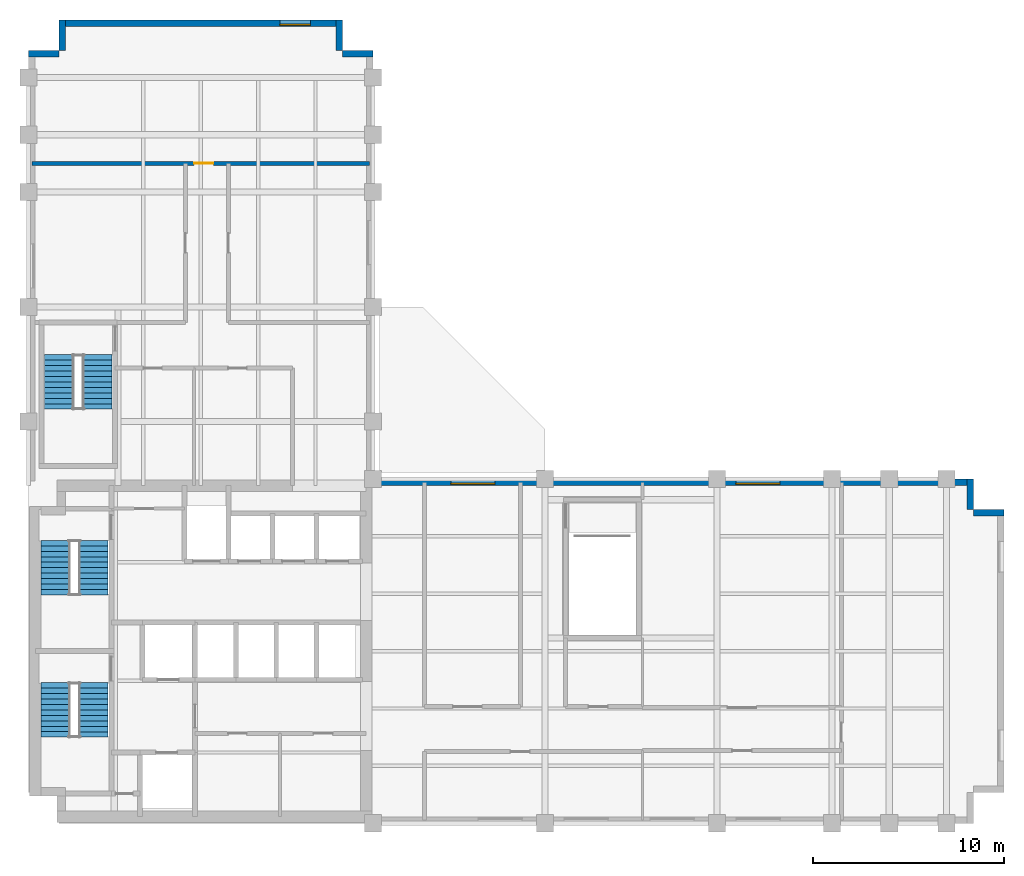
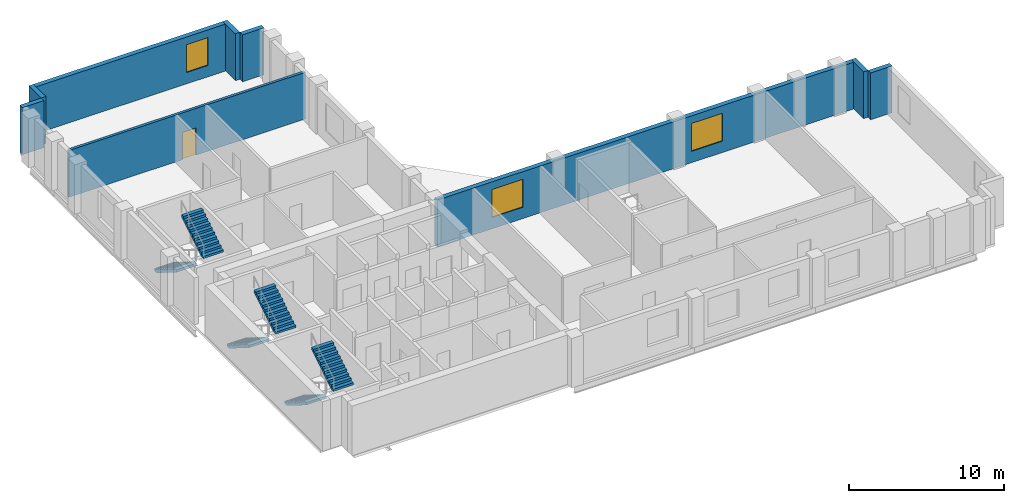
# One storey, part 5 of 6: 9 walls, 6 stair flights, 3 windows, 1 door, 4 openings, 3 elements without a shape of their own.
"""IFC4 building model written with IfcOpenShell, lengths in metres."""

import ifcopenshell
import ifcopenshell.guid

model = None  # the IFC model being written
_history = None  # IfcOwnerHistory: only IFC2X3 demands one
_inside = {}  # id of a spatial element -> (the spatial element, [elements in it])
_under = {}  # id of a project, library or spatial element -> (it, [spatial elements below it])
_declared = {}  # id of a project -> (the project, [libraries it declares])
_typed = {}  # id of a type object -> (the type object, [elements of that type])
_made_of = {}  # id of a material, layer set ... -> (it, [elements and type objects made of it])


def new_model(schema):
    """Start an empty IFC model of exactly this schema.

    Asked for "IFC4X3", IfcOpenShell would pick the latest addendum, in which some entities
    have other attributes; the version numbers below select the first issue.
    IFC2X3 requires an IfcOwnerHistory on every rooted entity: one is made here for all.
    """
    global model, _history
    if schema == "IFC4X3":
        model = ifcopenshell.file(schema_version=(4, 3, 0, 0))
    else:
        model = ifcopenshell.file(schema=schema)
    _inside.clear()
    _under.clear()
    _declared.clear()
    _typed.clear()
    _made_of.clear()
    _history = None
    if model.schema == "IFC2X3":
        org = make("IfcOrganization", Name="unknown")
        user = make(
            "IfcPersonAndOrganization",
            ThePerson=make("IfcPerson", FamilyName="unknown"),
            TheOrganization=org,
        )
        app = make(
            "IfcApplication",
            ApplicationDeveloper=org,
            Version="unknown",
            ApplicationFullName="unknown",
            ApplicationIdentifier="unknown",
        )
        _history = make(
            "IfcOwnerHistory",
            OwningUser=user,
            OwningApplication=app,
            ChangeAction="ADDED",
            CreationDate=0,
        )
    return model


def make(cls, **values):
    """One entity of the class cls with the attributes given. An attribute that is None is left unset."""
    return model.create_entity(
        cls, **{name: value for name, value in values.items() if value is not None}
    )


def rooted(cls, **values):
    """An entity with a GlobalId (a new one), such as an element, a storey or a relation."""
    return make(cls, GlobalId=ifcopenshell.guid.new(), OwnerHistory=_history, **values)


def si_unit(unit_type, name, prefix=None):
    """IfcSIUnit, for example si_unit("LENGTHUNIT", "METRE", prefix="MILLI")."""
    return make("IfcSIUnit", UnitType=unit_type, Prefix=prefix, Name=name)


def assignment(units):
    """IfcUnitAssignment: the units of a project."""
    return None if units is None else make("IfcUnitAssignment", Units=units)


def point(xyz):
    """IfcCartesianPoint."""
    return None if xyz is None else make("IfcCartesianPoint", Coordinates=xyz)


def direction(xyz):
    """IfcDirection."""
    return None if xyz is None else make("IfcDirection", DirectionRatios=xyz)


def frame(location, z_axis=None, x_axis=None):
    """IfcAxis2Placement3D, a coordinate frame: its origin and axes. An axis left out is left unset."""
    return make(
        "IfcAxis2Placement3D",
        Location=point(location),
        Axis=direction(z_axis),
        RefDirection=direction(x_axis),
    )


def frame_2d(location, x_axis=None):
    """IfcAxis2Placement2D, a coordinate frame in the plane: its origin and x axis."""
    return make(
        "IfcAxis2Placement2D", Location=point(location), RefDirection=direction(x_axis)
    )


def origin():
    """The frame at (0, 0, 0) with its axes left unset."""
    return frame((0.0, 0.0, 0.0))


def place(relative_to, where):
    """IfcLocalPlacement: puts the frame where relative to a parent placement (None: the world)."""
    return make(
        "IfcLocalPlacement", PlacementRelTo=relative_to, RelativePlacement=where
    )


def context(
    kind, dimensions, precision=None, world=None, true_north=None, identifier=None
):
    """IfcGeometricRepresentationContext, for example the 3D "Model" context."""
    return make(
        "IfcGeometricRepresentationContext",
        ContextIdentifier=identifier,
        ContextType=kind,
        CoordinateSpaceDimension=dimensions,
        Precision=precision,
        WorldCoordinateSystem=world,
        TrueNorth=true_north,
    )


def subcontext(parent, identifier, kind, view, scale=None):
    """IfcGeometricRepresentationSubContext, for example "Body" below "Model"."""
    return make(
        "IfcGeometricRepresentationSubContext",
        ContextIdentifier=identifier,
        ContextType=kind,
        ParentContext=parent,
        TargetScale=scale,
        TargetView=view,
    )


def project(units=None, contexts=None):
    """IfcProject with its units and contexts."""
    return rooted(
        "IfcProject",
        Name="project",
        RepresentationContexts=contexts,
        UnitsInContext=assignment(units),
    )


def spatial(cls, under=None, at=None, **own):
    """A site, building, storey or space (cls), placed at a placement, below another one or the project."""
    s = rooted(cls, ObjectPlacement=at, **own)
    if under is not None:
        _under.setdefault(under.id(), (under, []))[1].append(s)
    return s


def polyline(points):
    """IfcPolyline through the points."""
    return make("IfcPolyline", Points=[point(p) for p in points])


def profile(cls, at=None, kind="AREA", **sizes):
    """A parametric profile (cls). Its sizes go by their IFC names, for example OverallWidth=200.0."""
    return make(cls, ProfileType=kind, Position=at, **sizes)


def rectangle(**sizes):
    """IfcRectangleProfileDef."""
    return profile("IfcRectangleProfileDef", **sizes)


def outline(outer, holes=None, kind="AREA"):
    """IfcArbitraryClosedProfileDef: a profile drawn as a closed curve; with holes, ...WithVoids."""
    if holes is None:
        return make("IfcArbitraryClosedProfileDef", ProfileType=kind, OuterCurve=outer)
    return make(
        "IfcArbitraryProfileDefWithVoids",
        ProfileType=kind,
        OuterCurve=outer,
        InnerCurves=holes,
    )


def extrude(swept, where, along, depth):
    """IfcExtrudedAreaSolid: the profile swept, set in the frame where, extruded along a direction by depth."""
    return make(
        "IfcExtrudedAreaSolid",
        SweptArea=swept,
        Position=where,
        ExtrudedDirection=direction(along),
        Depth=depth,
    )


def shape(context_of_items, identifier, shape_type, items):
    """IfcShapeRepresentation: the items that make up one representation, for example the "Body"."""
    return make(
        "IfcShapeRepresentation",
        ContextOfItems=context_of_items,
        RepresentationIdentifier=identifier,
        RepresentationType=shape_type,
        Items=items,
    )


def material(Name=None, Category=None):
    """IfcMaterial."""
    return make("IfcMaterial", Name=Name, Category=Category)


def layer(
    of_material, thickness, ventilated=None, Name=None, Category=None, Priority=None
):
    """IfcMaterialLayer: one layer of a wall or slab, of a material (None: an air gap)."""
    return make(
        "IfcMaterialLayer",
        Material=of_material,
        LayerThickness=thickness,
        IsVentilated=ventilated,
        Name=Name,
        Category=Category,
        Priority=Priority,
    )


def layer_set(layers, Name=None):
    """IfcMaterialLayerSet."""
    return make("IfcMaterialLayerSet", MaterialLayers=layers, LayerSetName=Name)


def made_of(thing, what):
    """Note that an element or type object is made of a material, layer set ...; save() writes the relation."""
    if what is not None:
        _made_of.setdefault(what.id(), (what, []))[1].append(thing)
    return thing


def type_object(cls, material=None, **own):
    """A type object (cls), such as IfcWallType, which elements share."""
    return made_of(rooted(cls, **own), material)


def element(
    cls,
    number,
    at=None,
    inside=None,
    cuts=None,
    type_object=None,
    material=None,
    context=None,
    identifier="Body",
    shape_type=None,
    held_by="IfcProductDefinitionShape",
    body=None,
    shapes=None,
    **own,
):
    """One element of the class cls, such as IfcWall. Its Tag is "e" and its number.

    at: its placement. inside: the storey or other place that contains it. cuts: it is an
    opening in that element (IfcRelVoidsElement). A single representation is given by context,
    identifier, shape_type and body (its items); several are given by shapes. held_by: the class
    of the entity that holds the representations. save() writes the other relations.
    """
    e = rooted(cls, Tag="e%d" % number, ObjectPlacement=at, **own)
    if body is not None:
        shapes = [shape(context, identifier, shape_type, body)]
    if shapes is not None:
        e.Representation = make(held_by, Representations=shapes)
    if inside is not None:
        _inside.setdefault(inside.id(), (inside, []))[1].append(e)
    if cuts is not None:
        rooted(
            "IfcRelVoidsElement", RelatingBuildingElement=cuts, RelatedOpeningElement=e
        )
    if type_object is not None:
        _typed.setdefault(type_object.id(), (type_object, []))[1].append(e)
    return made_of(e, material)


def fill(opening, filler):
    """IfcRelFillsElement: the door or window that sits in an opening."""
    return rooted(
        "IfcRelFillsElement",
        RelatingOpeningElement=opening,
        RelatedBuildingElement=filler,
    )


def aggregate(whole, parts):
    """IfcRelAggregates: a whole, such as a stair, and the parts it consists of."""
    return rooted("IfcRelAggregates", RelatingObject=whole, RelatedObjects=parts)


def save(model, path):
    """Write the relations noted so far, then the file.

    IfcRelAggregates (storeys below a building ...), IfcRelContainedInSpatialStructure (elements
    in a storey), IfcRelDefinesByType, IfcRelAssociatesMaterial and IfcRelDeclares: one each for
    every whole, place, type object, material and project.
    """
    for whole, parts in _under.values():
        aggregate(whole, parts)
    for where, things in _inside.values():
        rooted(
            "IfcRelContainedInSpatialStructure",
            RelatedElements=things,
            RelatingStructure=where,
        )
    for kind, things in _typed.values():
        rooted("IfcRelDefinesByType", RelatedObjects=things, RelatingType=kind)
    for what, things in _made_of.values():
        rooted("IfcRelAssociatesMaterial", RelatedObjects=things, RelatingMaterial=what)
    for by, libraries in _declared.values():
        rooted("IfcRelDeclares", RelatingContext=by, RelatedDefinitions=libraries)
    model.write(path)


model = new_model("IFC4")

# Units and contexts
model_context = context("Model", 3, precision=1e-05, world=origin(), true_north=direction((0.0, 1.0)))
body_context = subcontext(model_context, "Body", "Model", "MODEL_VIEW")
ifc_project = project(units=[si_unit("LENGTHUNIT", "METRE"), si_unit("AREAUNIT", "SQUARE_METRE"), si_unit("VOLUMEUNIT", "CUBIC_METRE"), si_unit("PLANEANGLEUNIT", "RADIAN"), si_unit("MASSUNIT", "GRAM", prefix="KILO")], contexts=[model_context])

# Site, building, storey
site_placement = place(None, origin())
site = spatial("IfcSite", under=ifc_project, at=site_placement, CompositionType="ELEMENT")
building_placement = place(site_placement, origin())
building = spatial("IfcBuilding", under=site, at=building_placement, Name="Mawjdan Bourse Tower", CompositionType="ELEMENT")
storey_placement = place(building_placement, frame((0.0, 0.0, 164.39990234375)))
storey = spatial("IfcBuildingStorey", under=building, at=storey_placement, Name="L39", CompositionType="ELEMENT", Elevation=164.39990234375)

# Walls
ifc_material_1 = material(Name="Brick Masonry Buff", Category="masonry")
ifc_layer_1 = layer(ifc_material_1, 0.340087890625)
ifc_layer_set_1 = layer_set([ifc_layer_1], Name="Brick Masonry Buff")
wall_type_1 = type_object("IfcWallType", Name="WL-BRK-SPN-340", PredefinedType="STANDARD", material=ifc_layer_set_1)
for number, where, z_axis, x_axis, name in (
    (1, (57.0, 19.22998046875, 0.0), (0.0, 0.0, 1.0), (-1.0, 0.0, 0.0), "L39 Exterior Brick Wall 5"),
    (2, (55.22998046875, 19.39990234375, 0.0), (0.0, 0.0, 1.0), (0.0, 1.0, 0.0), "L39 Exterior Brick Wall 6"),
):
    element("IfcWall", number, at=place(storey_placement, frame(where, z_axis=z_axis, x_axis=x_axis)), inside=storey, type_object=wall_type_1, Name=name, PredefinedType="STANDARD", context=body_context, shape_type="SweptSolid", body=[
        extrude(rectangle(XDim=1.60009765625, YDim=0.340087890625, at=frame_2d((0.800048828125, 0.0))), origin(), (0.0, 0.0, 1.0), 3.7001953125),
    ])

# Wall, openings, windows
wall_1_placement = place(storey_placement, frame((55.39990234375, 20.830078125, 0.0), z_axis=(0.0, 0.0, 1.0), x_axis=(-1.0, 0.0, 0.0)))
wall_1 = element("IfcWall", 3, at=wall_1_placement, inside=storey, type_object=wall_type_1, Name="L39 Exterior Brick Wall 7", PredefinedType="STANDARD", context=body_context, shape_type="SweptSolid", body=[
    extrude(rectangle(XDim=31.39990234375, YDim=0.340087890625, at=frame_2d((15.699951171875, 0.0))), origin(), (0.0, 0.0, 1.0), 3.7001953125),
])
opening_1_placement = place(wall_1_placement, frame((25.02587890625, 0.0, 0.89990234375)))
opening_1 = element("IfcOpeningElement", 4, at=opening_1_placement, cuts=wall_1, Name="Opening W-L39-09", PredefinedType="OPENING", context=body_context, shape_type="SweptSolid", body=[
    extrude(rectangle(XDim=2.300048828125, YDim=2.199951171875, at=frame_2d((1.14990234375, 1.10009765625))), frame((0.0, 0.18017578125, 0.0), z_axis=(0.0, -1.0, 0.0), x_axis=(1.0, 0.0, 0.0)), (0.0, 0.0, 1.0), 0.360107421875),
])
opening_2_placement = place(wall_1_placement, frame((10.124755859375, 0.0, 0.89990234375)))
opening_2 = element("IfcOpeningElement", 5, at=opening_2_placement, cuts=wall_1, Name="Opening W-L39-10", PredefinedType="OPENING", context=body_context, shape_type="SweptSolid", body=[
    extrude(rectangle(XDim=2.300048828125, YDim=2.199951171875, at=frame_2d((1.14990234375, 1.10009765625))), frame((0.0, 0.18017578125, 0.0), z_axis=(0.0, -1.0, 0.0), x_axis=(1.0, 0.0, 0.0)), (0.0, 0.0, 1.0), 0.360107421875),
])
ifc_material_2 = material(Name="Solar-Control Clear Double Glazing", Category="glass")
window_type_1 = type_object("IfcWindowType", Name="WN-Z3-2300", PartitioningType="SINGLE_PANEL", PredefinedType="WINDOW", material=ifc_material_2)
window_1_placement = place(opening_1_placement, origin())
window_1 = element("IfcWindow", 6, at=window_1_placement, inside=storey, type_object=window_type_1, Name="L39 Deep-Set Masonry Window W-L39-09", OverallHeight=2.199951171875, OverallWidth=2.300048828125, PartitioningType="SINGLE_PANEL", PredefinedType="WINDOW", context=body_context, shape_type="SweptSolid", body=[
    extrude(rectangle(XDim=2.300048828125, YDim=2.199951171875, at=frame_2d((1.14990234375, 1.10009765625))), frame((0.0, 0.110107421875, 0.0), z_axis=(0.0, -1.0, 0.0), x_axis=(1.0, 0.0, 0.0)), (0.0, 0.0, 1.0), 0.06005859375),
])
fill(opening_1, window_1)
window_2_placement = place(opening_2_placement, origin())
window_2 = element("IfcWindow", 7, at=window_2_placement, inside=storey, type_object=window_type_1, Name="L39 Deep-Set Masonry Window W-L39-10", OverallHeight=2.199951171875, OverallWidth=2.300048828125, PartitioningType="SINGLE_PANEL", PredefinedType="WINDOW", context=body_context, shape_type="SweptSolid", body=[
    extrude(rectangle(XDim=2.300048828125, YDim=2.199951171875, at=frame_2d((1.14990234375, 1.10009765625))), frame((0.0, 0.110107421875, 0.0), z_axis=(0.0, -1.0, 0.0), x_axis=(1.0, 0.0, 0.0)), (0.0, 0.0, 1.0), 0.06005859375),
])
fill(opening_2, window_2)

# Walls
for number, where, z_axis, x_axis, name in (
    (8, (24.0, 43.22998046875, 0.0), (0.0, 0.0, 1.0), (-1.0, 0.0, 0.0), "L39 Exterior Brick Wall 9"),
    (9, (22.22998046875, 43.39990234375, 0.0), (0.0, 0.0, 1.0), (0.0, 1.0, 0.0), "L39 Exterior Brick Wall 10"),
):
    element("IfcWall", number, at=place(storey_placement, frame(where, z_axis=z_axis, x_axis=x_axis)), inside=storey, type_object=wall_type_1, Name=name, PredefinedType="STANDARD", context=body_context, shape_type="SweptSolid", body=[
        extrude(rectangle(XDim=1.60009765625, YDim=0.340087890625, at=frame_2d((0.800048828125, 0.0))), origin(), (0.0, 0.0, 1.0), 3.7001953125),
    ])

# Wall, opening, window
wall_2_placement = place(storey_placement, frame((22.39990234375, 44.830078125, 0.0), z_axis=(0.0, 0.0, 1.0), x_axis=(-1.0, 0.0, 0.0)))
wall_2 = element("IfcWall", 10, at=wall_2_placement, inside=storey, type_object=wall_type_1, Name="L39 Exterior Brick Wall 11", PredefinedType="STANDARD", context=body_context, shape_type="SweptSolid", body=[
    extrude(rectangle(XDim=14.7998046875, YDim=0.340087890625, at=frame_2d((7.39990234375, 0.0))), origin(), (0.0, 0.0, 1.0), 3.7001953125),
])
opening_3_placement = place(wall_2_placement, frame((1.666748046875, 0.0, 0.89990234375)))
opening_3 = element("IfcOpeningElement", 11, at=opening_3_placement, cuts=wall_2, Name="Opening W-L39-07", PredefinedType="OPENING", context=body_context, shape_type="SweptSolid", body=[
    extrude(rectangle(XDim=1.60009765625, YDim=2.199951171875, at=frame_2d((0.800048828125, 1.10009765625))), frame((0.0, 0.18017578125, 0.0), z_axis=(0.0, -1.0, 0.0), x_axis=(1.0, 0.0, 0.0)), (0.0, 0.0, 1.0), 0.360107421875),
])
window_type_2 = type_object("IfcWindowType", Name="WN-Z3-1600", PartitioningType="SINGLE_PANEL", PredefinedType="WINDOW", material=ifc_material_2)
window_3_placement = place(opening_3_placement, origin())
window_3 = element("IfcWindow", 12, at=window_3_placement, inside=storey, type_object=window_type_2, Name="L39 Deep-Set Masonry Window W-L39-07", OverallHeight=2.199951171875, OverallWidth=1.60009765625, PartitioningType="SINGLE_PANEL", PredefinedType="WINDOW", context=body_context, shape_type="SweptSolid", body=[
    extrude(rectangle(XDim=1.60009765625, YDim=2.199951171875, at=frame_2d((0.800048828125, 1.10009765625))), frame((0.0, 0.110107421875, 0.0), z_axis=(0.0, -1.0, 0.0), x_axis=(1.0, 0.0, 0.0)), (0.0, 0.0, 1.0), 0.06005859375),
])
fill(opening_3, window_3)

# Walls
for number, where, z_axis, x_axis, name in (
    (13, (7.77001953125, 45.0, 0.0), (0.0, 0.0, 1.0), (0.0, -1.0, 0.0), "L39 Exterior Brick Wall 12"),
    (14, (7.60009765625, 43.22998046875, 0.0), (0.0, 0.0, 1.0), (-1.0, 0.0, 0.0), "L39 Exterior Brick Wall 13"),
):
    element("IfcWall", number, at=place(storey_placement, frame(where, z_axis=z_axis, x_axis=x_axis)), inside=storey, type_object=wall_type_1, Name=name, PredefinedType="STANDARD", context=body_context, shape_type="SweptSolid", body=[
        extrude(rectangle(XDim=1.60009765625, YDim=0.340087890625, at=frame_2d((0.800048828125, 0.0))), origin(), (0.0, 0.0, 1.0), 3.7001953125),
    ])

# Wall, opening, door
ifc_material_3 = material(Name="Gypsum Fireboard Assembly")
ifc_layer_2 = layer(ifc_material_3, 0.199951171875)
ifc_layer_set_2 = layer_set([ifc_layer_2], Name="Gypsum Fireboard Assembly")
wall_type_2 = type_object("IfcWallType", Name="WL-CMP-200", PredefinedType="PARTITIONING", material=ifc_layer_set_2)
wall_3_placement = place(storey_placement, frame((6.179931640625, 37.5, 0.0), z_axis=(0.0, 0.0, 1.0), x_axis=(1.0, 0.0, 0.0)))
wall_3 = element("IfcWall", 15, at=wall_3_placement, inside=storey, type_object=wall_type_2, Name="L39 North Tip Full Cross Wall", PredefinedType="PARTITIONING", context=body_context, shape_type="SweptSolid", body=[
    extrude(rectangle(XDim=17.64013671875, YDim=0.199951171875, at=frame_2d((8.820068359375, 0.0))), origin(), (0.0, 0.0, 1.0), 3.690185546875),
])
opening_4_placement = place(wall_3_placement, frame((8.47509765625, 0.0, 0.0)))
opening_4 = element("IfcOpeningElement", 16, at=opening_4_placement, cuts=wall_3, Name="Opening D-L39-28", PredefinedType="OPENING", context=body_context, shape_type="SweptSolid", body=[
    extrude(rectangle(XDim=1.0, YDim=2.14990234375, at=frame_2d((0.5, 1.074951171875))), frame((0.0, 0.10986328125, 0.0), z_axis=(0.0, -1.0, 0.0), x_axis=(1.0, 0.0, 0.0)), (0.0, 0.0, 1.0), 0.219970703125),
])
ifc_material_4 = material(Name="Hardwood Acoustic Leaf", Category="wood")
door_type = type_object("IfcDoorType", Name="DR-OFC-1000", OperationType="NOTDEFINED", PredefinedType="DOOR", material=ifc_material_4)
door_placement = place(opening_4_placement, origin())
door = element("IfcDoor", 17, at=door_placement, inside=storey, type_object=door_type, Name="L39 North Tip Suite Door D-L39-28", OperationType="SINGLE_SWING_LEFT", OverallHeight=2.14990234375, OverallWidth=1.0, PredefinedType="DOOR", context=body_context, shape_type="SweptSolid", body=[
    extrude(rectangle(XDim=1.0, YDim=2.14990234375, at=frame_2d((0.5, 1.074951171875))), frame((0.0, 0.02490234375, 0.0), z_axis=(0.0, -1.0, 0.0), x_axis=(1.0, 0.0, 0.0)), (0.0, 0.0, 1.0), 0.050048828125),
])
fill(opening_4, door)

# Stair, stair flights
ifc_material_5 = material(Name="Concrete C50/60", Category="concrete")
stair_type = type_object("IfcStairType", Name="STR-CORE-1500", PredefinedType="HALF_TURN_STAIR", material=ifc_material_5)
stair_1_placement = place(storey_placement, origin())
stair_1 = element("IfcStair", 18, at=stair_1_placement, inside=storey, type_object=stair_type, Name="L39 Exit Stair 1 (Core South-West)", PredefinedType="HALF_TURN_STAIR")
stair_flight_type = type_object("IfcStairFlightType", Name="SFL-RC-1500", PredefinedType="STRAIGHT", material=ifc_material_5)
stair_flight_1_placement = place(storey_placement, frame((7.389892578125, 10.35009765625, 0.0), z_axis=(0.0, 0.0, 1.0), x_axis=(0.0, -1.0, 0.0)))
stair_flight_1 = element("IfcStairFlight", 19, at=stair_flight_1_placement, type_object=stair_flight_type, Name="ST1-L39 flight 1", NumberOfRisers=11, NumberOfTreads=10, PredefinedType="STRAIGHT", RiserHeight=0.177273, TreadLength=0.285, context=body_context, shape_type="SweptSolid", body=[
    extrude(outline(polyline([(0.0, 0.0), (0.0, 0.17724609375), (0.284912109375, 0.17724609375), (0.284912109375, 0.3544921875), (0.570068359375, 0.3544921875), (0.570068359375, 0.53173828125), (0.85498046875, 0.53173828125), (0.85498046875, 0.708984375), (1.139892578125, 0.708984375), (1.139892578125, 0.886474609375), (1.425048828125, 0.886474609375), (1.425048828125, 1.063720703125), (1.7099609375, 1.063720703125), (1.7099609375, 1.240966796875), (1.9951171875, 1.240966796875), (1.9951171875, 1.418212890625), (2.280029296875, 1.418212890625), (2.280029296875, 1.595458984375), (2.56494140625, 1.595458984375), (2.56494140625, 1.772705078125), (2.85009765625, 1.772705078125), (2.85009765625, 1.949951171875), (2.85009765625, 1.58447265625), (0.302734375, 0.0), (0.0, 0.0)])), frame((0.0, 0.75, 0.0), z_axis=(0.0, -1.0, 0.0), x_axis=(1.0, 0.0, 0.0)), (0.0, 0.0, 1.0), 1.5),
])
stair_flight_2_placement = place(storey_placement, frame((9.409912109375, 7.5, 1.9501953125), z_axis=(0.0, 0.0, 1.0), x_axis=(0.0, 1.0, 0.0)))
stair_flight_2 = element("IfcStairFlight", 20, at=stair_flight_2_placement, type_object=stair_flight_type, Name="ST1-L39 flight 2", NumberOfRisers=11, NumberOfTreads=10, PredefinedType="STRAIGHT", RiserHeight=0.177273, TreadLength=0.285, context=body_context, shape_type="SweptSolid", body=[
    extrude(outline(polyline([(0.0, 0.0), (0.0, 0.17724609375), (0.284912109375, 0.17724609375), (0.284912109375, 0.3544921875), (0.570068359375, 0.3544921875), (0.570068359375, 0.53173828125), (0.85498046875, 0.53173828125), (0.85498046875, 0.708984375), (1.139892578125, 0.708984375), (1.139892578125, 0.886474609375), (1.425048828125, 0.886474609375), (1.425048828125, 1.063720703125), (1.7099609375, 1.063720703125), (1.7099609375, 1.240966796875), (1.9951171875, 1.240966796875), (1.9951171875, 1.418212890625), (2.280029296875, 1.418212890625), (2.280029296875, 1.595458984375), (2.56494140625, 1.595458984375), (2.56494140625, 1.772705078125), (2.85009765625, 1.772705078125), (2.85009765625, 1.949951171875), (2.85009765625, 1.58447265625), (0.302734375, 0.0), (0.0, 0.0)])), frame((0.0, 0.75, 0.0), z_axis=(0.0, -1.0, 0.0), x_axis=(1.0, 0.0, 0.0)), (0.0, 0.0, 1.0), 1.5),
])
aggregate(stair_1, [stair_flight_1, stair_flight_2])

stair_2_placement = place(storey_placement, origin())
stair_2 = element("IfcStair", 21, at=stair_2_placement, inside=storey, type_object=stair_type, Name="L39 Exit Stair 2 (Core North-West)", PredefinedType="HALF_TURN_STAIR")
stair_flight_3_placement = place(storey_placement, frame((7.389892578125, 17.7900390625, 0.0), z_axis=(0.0, 0.0, 1.0), x_axis=(0.0, -1.0, 0.0)))
stair_flight_3 = element("IfcStairFlight", 22, at=stair_flight_3_placement, type_object=stair_flight_type, Name="ST2-L39 flight 1", NumberOfRisers=11, NumberOfTreads=10, PredefinedType="STRAIGHT", RiserHeight=0.177273, TreadLength=0.285, context=body_context, shape_type="SweptSolid", body=[
    extrude(outline(polyline([(0.0, 0.0), (0.0, 0.17724609375), (0.284912109375, 0.17724609375), (0.284912109375, 0.3544921875), (0.570068359375, 0.3544921875), (0.570068359375, 0.53173828125), (0.85498046875, 0.53173828125), (0.85498046875, 0.708984375), (1.139892578125, 0.708984375), (1.139892578125, 0.886474609375), (1.425048828125, 0.886474609375), (1.425048828125, 1.063720703125), (1.7099609375, 1.063720703125), (1.7099609375, 1.240966796875), (1.9951171875, 1.240966796875), (1.9951171875, 1.418212890625), (2.280029296875, 1.418212890625), (2.280029296875, 1.595458984375), (2.56494140625, 1.595458984375), (2.56494140625, 1.772705078125), (2.85009765625, 1.772705078125), (2.85009765625, 1.949951171875), (2.85009765625, 1.58447265625), (0.302734375, 0.0), (0.0, 0.0)])), frame((0.0, 0.75, 0.0), z_axis=(0.0, -1.0, 0.0), x_axis=(1.0, 0.0, 0.0)), (0.0, 0.0, 1.0), 1.5),
])
stair_flight_4_placement = place(storey_placement, frame((9.409912109375, 14.93994140625, 1.9501953125), z_axis=(0.0, 0.0, 1.0), x_axis=(0.0, 1.0, 0.0)))
stair_flight_4 = element("IfcStairFlight", 23, at=stair_flight_4_placement, type_object=stair_flight_type, Name="ST2-L39 flight 2", NumberOfRisers=11, NumberOfTreads=10, PredefinedType="STRAIGHT", RiserHeight=0.177273, TreadLength=0.285, context=body_context, shape_type="SweptSolid", body=[
    extrude(outline(polyline([(0.0, 0.0), (0.0, 0.17724609375), (0.284912109375, 0.17724609375), (0.284912109375, 0.3544921875), (0.570068359375, 0.3544921875), (0.570068359375, 0.53173828125), (0.85498046875, 0.53173828125), (0.85498046875, 0.708984375), (1.139892578125, 0.708984375), (1.139892578125, 0.886474609375), (1.425048828125, 0.886474609375), (1.425048828125, 1.063720703125), (1.7099609375, 1.063720703125), (1.7099609375, 1.240966796875), (1.9951171875, 1.240966796875), (1.9951171875, 1.418212890625), (2.280029296875, 1.418212890625), (2.280029296875, 1.595458984375), (2.56494140625, 1.595458984375), (2.56494140625, 1.772705078125), (2.85009765625, 1.772705078125), (2.85009765625, 1.949951171875), (2.85009765625, 1.58447265625), (0.302734375, 0.0), (0.0, 0.0)])), frame((0.0, 0.75, 0.0), z_axis=(0.0, -1.0, 0.0), x_axis=(1.0, 0.0, 0.0)), (0.0, 0.0, 1.0), 1.5),
])
aggregate(stair_2, [stair_flight_3, stair_flight_4])

stair_3_placement = place(storey_placement, origin())
stair_3 = element("IfcStair", 24, at=stair_3_placement, inside=storey, type_object=stair_type, Name="L39 Exit Stair 3 (North Wing)", PredefinedType="HALF_TURN_STAIR")
stair_flight_5_placement = place(storey_placement, frame((7.590087890625, 27.5, 0.0), z_axis=(0.0, 0.0, 1.0), x_axis=(0.0, -1.0, 0.0)))
stair_flight_5 = element("IfcStairFlight", 25, at=stair_flight_5_placement, type_object=stair_flight_type, Name="ST3-L39 flight 1", NumberOfRisers=11, NumberOfTreads=10, PredefinedType="STRAIGHT", RiserHeight=0.177273, TreadLength=0.285, context=body_context, shape_type="SweptSolid", body=[
    extrude(outline(polyline([(0.0, 0.0), (0.0, 0.17724609375), (0.284912109375, 0.17724609375), (0.284912109375, 0.3544921875), (0.570068359375, 0.3544921875), (0.570068359375, 0.53173828125), (0.85498046875, 0.53173828125), (0.85498046875, 0.708984375), (1.139892578125, 0.708984375), (1.139892578125, 0.886474609375), (1.425048828125, 0.886474609375), (1.425048828125, 1.063720703125), (1.7099609375, 1.063720703125), (1.7099609375, 1.240966796875), (1.9951171875, 1.240966796875), (1.9951171875, 1.418212890625), (2.280029296875, 1.418212890625), (2.280029296875, 1.595458984375), (2.56494140625, 1.595458984375), (2.56494140625, 1.772705078125), (2.85009765625, 1.772705078125), (2.85009765625, 1.949951171875), (2.85009765625, 1.58447265625), (0.302734375, 0.0), (0.0, 0.0)])), frame((0.0, 0.75, 0.0), z_axis=(0.0, -1.0, 0.0), x_axis=(1.0, 0.0, 0.0)), (0.0, 0.0, 1.0), 1.5),
])
stair_flight_6_placement = place(storey_placement, frame((9.610107421875, 24.64990234375, 1.9501953125), z_axis=(0.0, 0.0, 1.0), x_axis=(0.0, 1.0, 0.0)))
stair_flight_6 = element("IfcStairFlight", 26, at=stair_flight_6_placement, type_object=stair_flight_type, Name="ST3-L39 flight 2", NumberOfRisers=11, NumberOfTreads=10, PredefinedType="STRAIGHT", RiserHeight=0.177273, TreadLength=0.285, context=body_context, shape_type="SweptSolid", body=[
    extrude(outline(polyline([(0.0, 0.0), (0.0, 0.17724609375), (0.284912109375, 0.17724609375), (0.284912109375, 0.3544921875), (0.570068359375, 0.3544921875), (0.570068359375, 0.53173828125), (0.85498046875, 0.53173828125), (0.85498046875, 0.708984375), (1.139892578125, 0.708984375), (1.139892578125, 0.886474609375), (1.425048828125, 0.886474609375), (1.425048828125, 1.063720703125), (1.7099609375, 1.063720703125), (1.7099609375, 1.240966796875), (1.9951171875, 1.240966796875), (1.9951171875, 1.418212890625), (2.280029296875, 1.418212890625), (2.280029296875, 1.595458984375), (2.56494140625, 1.595458984375), (2.56494140625, 1.772705078125), (2.85009765625, 1.772705078125), (2.85009765625, 1.949951171875), (2.85009765625, 1.58447265625), (0.302734375, 0.0), (0.0, 0.0)])), frame((0.0, 0.75, 0.0), z_axis=(0.0, -1.0, 0.0), x_axis=(1.0, 0.0, 0.0)), (0.0, 0.0, 1.0), 1.5),
])
aggregate(stair_3, [stair_flight_5, stair_flight_6])

save(model, "model.ifc")
